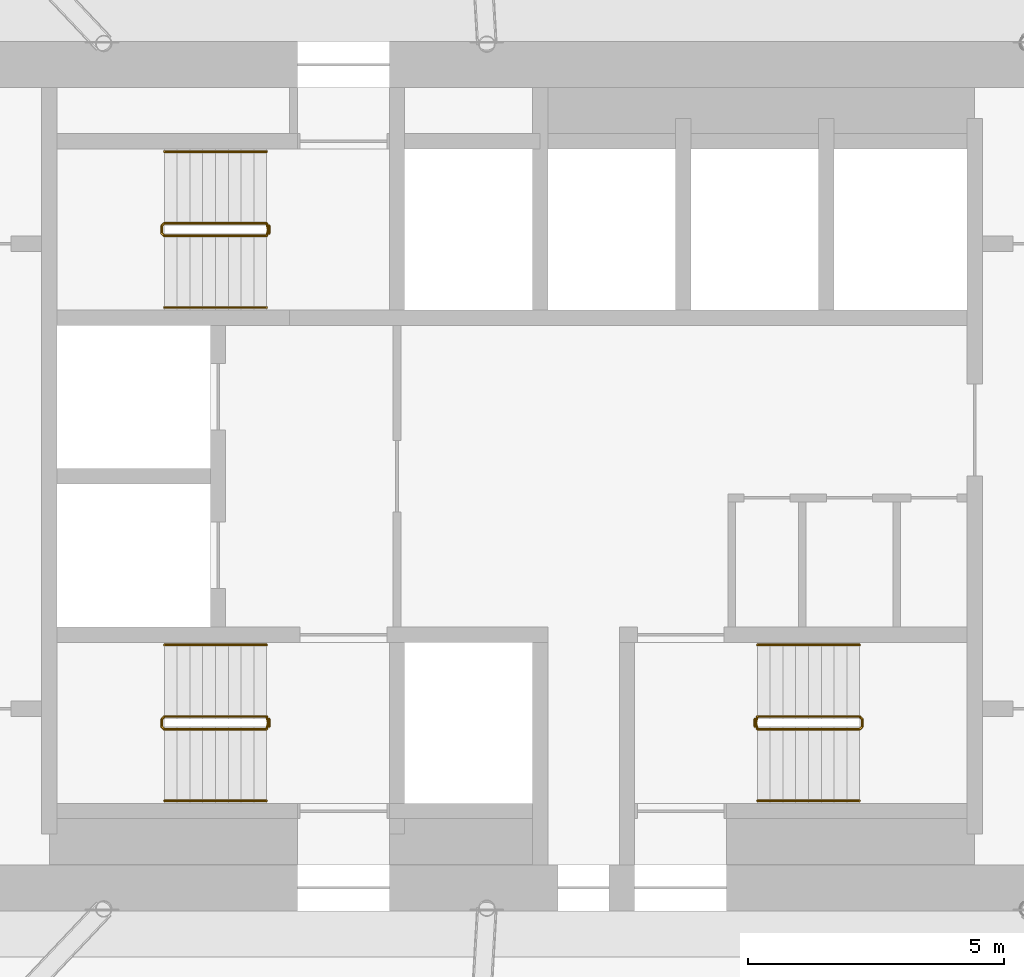
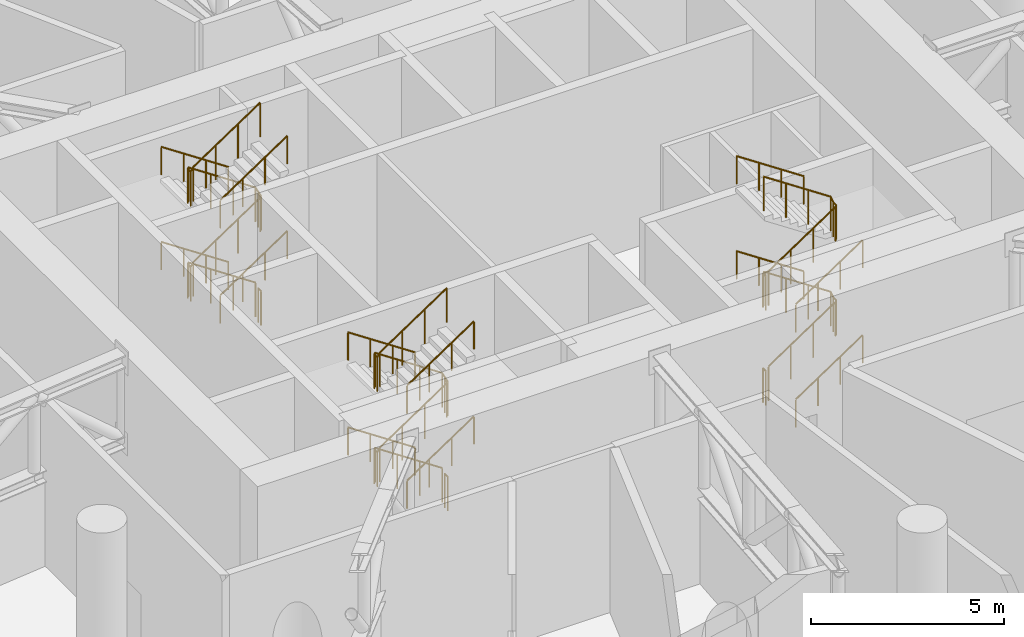
# One storey, part 15 of 15: 18 railings.
"""IFC4 building model written with IfcOpenShell, lengths in metres."""

from ifc_helpers import new_model, si_unit, direction, frame, origin, origin_2d, place, context, subcontext, project, spatial, circle, extrude, material, type_object, element, save


model = new_model("IFC4")

# Units and contexts
model_context = context("Model", 3, precision=1e-05, world=origin(), true_north=direction((0.0, 1.0)))
body_context = subcontext(model_context, "Body", "Model", "MODEL_VIEW")
ifc_project = project(units=[si_unit("LENGTHUNIT", "METRE"), si_unit("AREAUNIT", "SQUARE_METRE"), si_unit("VOLUMEUNIT", "CUBIC_METRE"), si_unit("PLANEANGLEUNIT", "RADIAN"), si_unit("MASSUNIT", "GRAM", prefix="KILO")], contexts=[model_context])

# Site, building, storey
site_placement = place(None, origin())
site = spatial("IfcSite", under=ifc_project, at=site_placement, CompositionType="ELEMENT")
building_placement = place(site_placement, origin())
building = spatial("IfcBuilding", under=site, at=building_placement, Name="Tracery Tower", CompositionType="ELEMENT")
storey_placement = place(building_placement, frame((0.0, 0.0, 225.0)))
storey = spatial("IfcBuildingStorey", under=building, at=storey_placement, Name="L58 Plant", CompositionType="ELEMENT", Elevation=225.0)

# Railings
ifc_material_1 = material(Name="Stainless steel and laminated glass", Category="steel")
railing_type_1 = type_object("IfcRailingType", Name="Stair guard 1100", PredefinedType="GUARDRAIL", material=ifc_material_1)
railing_1_placement = place(storey_placement, frame((-4.800048828125, -4.699951171875, 0.166748046875)))
element("IfcRailing", 1, at=railing_1_placement, inside=storey, type_object=railing_type_1, Name="L58 Plant stair ST1 guard 1", PredefinedType="GUARDRAIL", context=body_context, shape_type="SweptSolid", body=[
    extrude(circle(Radius=0.02392578125, at=origin_2d()), frame((0.0, 0.0, 1.076171875), z_axis=(-0.832065920246, 0.0, 0.554676756648), x_axis=(0.0, -1.0, 0.0)), (0.0, 0.0, 1.0), 2.403564453125),
    extrude(circle(Radius=0.02392578125, at=origin_2d()), frame((-2.0, 0.0, 2.4091796875), z_axis=(-0.707106781187, -0.707106781187, 0.0), x_axis=(0.707106781187, -0.707106781187, 0.0)), (0.0, 0.0, 1.0), 0.07080078125),
    extrude(circle(Radius=0.02392578125, at=origin_2d()), frame((-2.050048828125, -0.050048828125, 2.4091796875), z_axis=(0.0, -1.0, 0.0), x_axis=(1.0, 0.0, 0.0)), (0.0, 0.0, 1.0), 0.14990234375),
    extrude(circle(Radius=0.02392578125, at=origin_2d()), frame((-2.050048828125, -0.199951171875, 2.4091796875), z_axis=(0.27628659633, -0.27628659633, 0.920506074601), x_axis=(0.707106781187, 0.707106781187, 0.0)), (0.0, 0.0, 1.0), 0.18115234375),
    extrude(circle(Radius=0.02392578125, at=origin_2d()), frame((-2.0, -0.25, 2.576171875), z_axis=(0.832065920246, 0.0, 0.554676756648), x_axis=(0.0, 1.0, 0.0)), (0.0, 0.0, 1.0), 2.403564453125),
    extrude(circle(Radius=0.02392578125, at=origin_2d()), frame((0.0, -0.25, 3.9091796875), z_axis=(0.242814311512, 0.970072785993, 0.0), x_axis=(-0.970072785993, 0.242814311512, 0.0)), (0.0, 0.0, 1.0), 0.2060546875),
    extrude(circle(Radius=0.02392578125, at=origin_2d()), frame((0.050048828125, -0.050048828125, 3.9091796875), z_axis=(0.0, -1.0, 0.0), x_axis=(1.0, 0.0, 0.0)), (0.0, 0.0, 1.0), 0.14990234375),
    extrude(circle(Radius=0.02392578125, at=origin_2d()), frame((0.050048828125, -0.199951171875, 3.9091796875), z_axis=(-0.188775798145, 0.754182335027, 0.628945707965), x_axis=(-0.970072785993, -0.242814311512, 0.0)), (0.0, 0.0, 1.0), 0.26513671875),
    extrude(circle(Radius=0.02392578125, at=origin_2d()), frame((0.0, 0.0, 4.076171875), z_axis=(-0.832065920246, 0.0, 0.554676756648), x_axis=(0.0, -1.0, 0.0)), (0.0, 0.0, 1.0), 2.403564453125),
    extrude(circle(Radius=0.02392578125, at=origin_2d()), frame((-2.0, 0.0, 5.4091796875), z_axis=(-0.707106781187, -0.707106781187, 0.0), x_axis=(0.707106781187, -0.707106781187, 0.0)), (0.0, 0.0, 1.0), 0.07080078125),
    extrude(circle(Radius=0.02392578125, at=origin_2d()), frame((-2.050048828125, -0.050048828125, 5.4091796875), z_axis=(0.0, -1.0, 0.0), x_axis=(1.0, 0.0, 0.0)), (0.0, 0.0, 1.0), 0.14990234375),
    extrude(circle(Radius=0.02392578125, at=origin_2d()), frame((-2.050048828125, -0.199951171875, 5.4091796875), z_axis=(0.27628659633, -0.27628659633, 0.920506074601), x_axis=(0.707106781187, 0.707106781187, 0.0)), (0.0, 0.0, 1.0), 0.18115234375),
    extrude(circle(Radius=0.02392578125, at=origin_2d()), frame((-2.0, -0.25, 5.576171875), z_axis=(0.832065920246, 0.0, 0.554676756648), x_axis=(0.0, 1.0, 0.0)), (0.0, 0.0, 1.0), 2.403564453125),
    extrude(circle(Radius=0.02099609375, at=origin_2d()), origin(), (0.0, 0.0, 1.0), 1.052001953125),
    extrude(circle(Radius=0.02099609375, at=origin_2d()), frame((-0.666748046875, 0.0, 0.4443359375)), (0.0, 0.0, 1.0), 1.052001953125),
    extrude(circle(Radius=0.02099609375, at=origin_2d()), frame((-1.333251953125, 0.0, 0.888916015625)), (0.0, 0.0, 1.0), 1.052001953125),
    extrude(circle(Radius=0.02099609375, at=origin_2d()), frame((-2.0, 0.0, 1.333251953125)), (0.0, 0.0, 1.0), 1.052001953125),
    extrude(circle(Radius=0.02099609375, at=origin_2d()), frame((-2.050048828125, -0.050048828125, 1.333251953125)), (0.0, 0.0, 1.0), 1.052001953125),
    extrude(circle(Radius=0.02099609375, at=origin_2d()), frame((-2.050048828125, -0.199951171875, 1.333251953125)), (0.0, 0.0, 1.0), 1.052001953125),
    extrude(circle(Radius=0.02099609375, at=origin_2d()), frame((-2.0, -0.25, 1.5)), (0.0, 0.0, 1.0), 1.052001953125),
    extrude(circle(Radius=0.02099609375, at=origin_2d()), frame((-1.333251953125, -0.25, 1.9443359375)), (0.0, 0.0, 1.0), 1.052001953125),
    extrude(circle(Radius=0.02099609375, at=origin_2d()), frame((-0.666748046875, -0.25, 2.388916015625)), (0.0, 0.0, 1.0), 1.052001953125),
    extrude(circle(Radius=0.02099609375, at=origin_2d()), frame((0.0, -0.25, 2.833251953125)), (0.0, 0.0, 1.0), 1.052001953125),
    extrude(circle(Radius=0.02099609375, at=origin_2d()), frame((0.050048828125, -0.050048828125, 2.833251953125)), (0.0, 0.0, 1.0), 1.052001953125),
    extrude(circle(Radius=0.02099609375, at=origin_2d()), frame((0.050048828125, -0.199951171875, 2.833251953125)), (0.0, 0.0, 1.0), 1.052001953125),
    extrude(circle(Radius=0.02099609375, at=origin_2d()), frame((0.0, 0.0, 3.0)), (0.0, 0.0, 1.0), 1.052001953125),
    extrude(circle(Radius=0.02099609375, at=origin_2d()), frame((-0.666748046875, 0.0, 3.4443359375)), (0.0, 0.0, 1.0), 1.052001953125),
    extrude(circle(Radius=0.02099609375, at=origin_2d()), frame((-1.333251953125, 0.0, 3.888916015625)), (0.0, 0.0, 1.0), 1.052001953125),
    extrude(circle(Radius=0.02099609375, at=origin_2d()), frame((-2.0, 0.0, 4.333251953125)), (0.0, 0.0, 1.0), 1.052001953125),
    extrude(circle(Radius=0.02099609375, at=origin_2d()), frame((-2.050048828125, -0.050048828125, 4.333251953125)), (0.0, 0.0, 1.0), 1.052001953125),
    extrude(circle(Radius=0.02099609375, at=origin_2d()), frame((-2.050048828125, -0.199951171875, 4.333251953125)), (0.0, 0.0, 1.0), 1.052001953125),
    extrude(circle(Radius=0.02099609375, at=origin_2d()), frame((-2.0, -0.25, 4.5)), (0.0, 0.0, 1.0), 1.052001953125),
    extrude(circle(Radius=0.02099609375, at=origin_2d()), frame((-1.333251953125, -0.25, 4.9443359375)), (0.0, 0.0, 1.0), 1.052001953125),
    extrude(circle(Radius=0.02099609375, at=origin_2d()), frame((-0.666748046875, -0.25, 5.388916015625)), (0.0, 0.0, 1.0), 1.052001953125),
    extrude(circle(Radius=0.02099609375, at=origin_2d()), frame((0.0, -0.25, 5.833251953125)), (0.0, 0.0, 1.0), 1.052001953125),
])
railing_2_placement = place(storey_placement, frame((-4.75, -4.75, 0.0)))
element("IfcRailing", 2, at=railing_2_placement, inside=storey, type_object=railing_type_1, Name="L58 Plant stair ST1 guard 2", PredefinedType="GUARDRAIL", context=body_context, shape_type="SweptSolid", body=[
    extrude(circle(Radius=0.02392578125, at=origin_2d()), frame((0.0, 0.0, 1.076171875), z_axis=(0.0, -1.0, 0.0), x_axis=(1.0, 0.0, 0.0)), (0.0, 0.0, 1.0), 0.14990234375),
    extrude(circle(Radius=0.02099609375, at=origin_2d()), origin(), (0.0, 0.0, 1.0), 1.052001953125),
    extrude(circle(Radius=0.02099609375, at=origin_2d()), frame((0.0, -0.14990234375, 0.0)), (0.0, 0.0, 1.0), 1.052001953125),
])
railing_3_placement = place(storey_placement, frame((-4.800048828125, 4.949951171875, 0.166748046875)))
element("IfcRailing", 3, at=railing_3_placement, inside=storey, type_object=railing_type_1, Name="L58 Plant stair ST3 guard 1", PredefinedType="GUARDRAIL", context=body_context, shape_type="SweptSolid", body=[
    extrude(circle(Radius=0.02392578125, at=origin_2d()), frame((0.0, 0.0, 1.076171875), z_axis=(-0.832065920246, 0.0, 0.554676756648), x_axis=(0.0, -1.0, 0.0)), (0.0, 0.0, 1.0), 2.403564453125),
    extrude(circle(Radius=0.02392578125, at=origin_2d()), frame((-2.0, 0.0, 2.4091796875), z_axis=(-0.707106781187, -0.707106781187, 0.0), x_axis=(0.707106781187, -0.707106781187, 0.0)), (0.0, 0.0, 1.0), 0.07080078125),
    extrude(circle(Radius=0.02392578125, at=origin_2d()), frame((-2.050048828125, -0.050048828125, 2.4091796875), z_axis=(0.0, -1.0, 0.0), x_axis=(1.0, 0.0, 0.0)), (0.0, 0.0, 1.0), 0.14990234375),
    extrude(circle(Radius=0.02392578125, at=origin_2d()), frame((-2.050048828125, -0.199951171875, 2.4091796875), z_axis=(0.27628659633, -0.27628659633, 0.920506074601), x_axis=(0.707106781187, 0.707106781187, 0.0)), (0.0, 0.0, 1.0), 0.18115234375),
    extrude(circle(Radius=0.02392578125, at=origin_2d()), frame((-2.0, -0.25, 2.576171875), z_axis=(0.832065920246, 0.0, 0.554676756648), x_axis=(0.0, 1.0, 0.0)), (0.0, 0.0, 1.0), 2.403564453125),
    extrude(circle(Radius=0.02392578125, at=origin_2d()), frame((0.0, -0.25, 3.9091796875), z_axis=(0.242814311512, 0.970072785993, 0.0), x_axis=(-0.970072785993, 0.242814311512, 0.0)), (0.0, 0.0, 1.0), 0.2060546875),
    extrude(circle(Radius=0.02392578125, at=origin_2d()), frame((0.050048828125, -0.050048828125, 3.9091796875), z_axis=(0.0, -1.0, 0.0), x_axis=(1.0, 0.0, 0.0)), (0.0, 0.0, 1.0), 0.14990234375),
    extrude(circle(Radius=0.02392578125, at=origin_2d()), frame((0.050048828125, -0.199951171875, 3.9091796875), z_axis=(-0.188775798145, 0.754182335027, 0.628945707965), x_axis=(-0.970072785993, -0.242814311512, 0.0)), (0.0, 0.0, 1.0), 0.26513671875),
    extrude(circle(Radius=0.02392578125, at=origin_2d()), frame((0.0, 0.0, 4.076171875), z_axis=(-0.832065920246, 0.0, 0.554676756648), x_axis=(0.0, -1.0, 0.0)), (0.0, 0.0, 1.0), 2.403564453125),
    extrude(circle(Radius=0.02392578125, at=origin_2d()), frame((-2.0, 0.0, 5.4091796875), z_axis=(-0.707106781187, -0.707106781187, 0.0), x_axis=(0.707106781187, -0.707106781187, 0.0)), (0.0, 0.0, 1.0), 0.07080078125),
    extrude(circle(Radius=0.02392578125, at=origin_2d()), frame((-2.050048828125, -0.050048828125, 5.4091796875), z_axis=(0.0, -1.0, 0.0), x_axis=(1.0, 0.0, 0.0)), (0.0, 0.0, 1.0), 0.14990234375),
    extrude(circle(Radius=0.02392578125, at=origin_2d()), frame((-2.050048828125, -0.199951171875, 5.4091796875), z_axis=(0.27628659633, -0.27628659633, 0.920506074601), x_axis=(0.707106781187, 0.707106781187, 0.0)), (0.0, 0.0, 1.0), 0.18115234375),
    extrude(circle(Radius=0.02392578125, at=origin_2d()), frame((-2.0, -0.25, 5.576171875), z_axis=(0.832065920246, 0.0, 0.554676756648), x_axis=(0.0, 1.0, 0.0)), (0.0, 0.0, 1.0), 2.403564453125),
    extrude(circle(Radius=0.02099609375, at=origin_2d()), origin(), (0.0, 0.0, 1.0), 1.052001953125),
    extrude(circle(Radius=0.02099609375, at=origin_2d()), frame((-0.666748046875, 0.0, 0.4443359375)), (0.0, 0.0, 1.0), 1.052001953125),
    extrude(circle(Radius=0.02099609375, at=origin_2d()), frame((-1.333251953125, 0.0, 0.888916015625)), (0.0, 0.0, 1.0), 1.052001953125),
    extrude(circle(Radius=0.02099609375, at=origin_2d()), frame((-2.0, 0.0, 1.333251953125)), (0.0, 0.0, 1.0), 1.052001953125),
    extrude(circle(Radius=0.02099609375, at=origin_2d()), frame((-2.050048828125, -0.050048828125, 1.333251953125)), (0.0, 0.0, 1.0), 1.052001953125),
    extrude(circle(Radius=0.02099609375, at=origin_2d()), frame((-2.050048828125, -0.199951171875, 1.333251953125)), (0.0, 0.0, 1.0), 1.052001953125),
    extrude(circle(Radius=0.02099609375, at=origin_2d()), frame((-2.0, -0.25, 1.5)), (0.0, 0.0, 1.0), 1.052001953125),
    extrude(circle(Radius=0.02099609375, at=origin_2d()), frame((-1.333251953125, -0.25, 1.9443359375)), (0.0, 0.0, 1.0), 1.052001953125),
    extrude(circle(Radius=0.02099609375, at=origin_2d()), frame((-0.666748046875, -0.25, 2.388916015625)), (0.0, 0.0, 1.0), 1.052001953125),
    extrude(circle(Radius=0.02099609375, at=origin_2d()), frame((0.0, -0.25, 2.833251953125)), (0.0, 0.0, 1.0), 1.052001953125),
    extrude(circle(Radius=0.02099609375, at=origin_2d()), frame((0.050048828125, -0.050048828125, 2.833251953125)), (0.0, 0.0, 1.0), 1.052001953125),
    extrude(circle(Radius=0.02099609375, at=origin_2d()), frame((0.050048828125, -0.199951171875, 2.833251953125)), (0.0, 0.0, 1.0), 1.052001953125),
    extrude(circle(Radius=0.02099609375, at=origin_2d()), frame((0.0, 0.0, 3.0)), (0.0, 0.0, 1.0), 1.052001953125),
    extrude(circle(Radius=0.02099609375, at=origin_2d()), frame((-0.666748046875, 0.0, 3.4443359375)), (0.0, 0.0, 1.0), 1.052001953125),
    extrude(circle(Radius=0.02099609375, at=origin_2d()), frame((-1.333251953125, 0.0, 3.888916015625)), (0.0, 0.0, 1.0), 1.052001953125),
    extrude(circle(Radius=0.02099609375, at=origin_2d()), frame((-2.0, 0.0, 4.333251953125)), (0.0, 0.0, 1.0), 1.052001953125),
    extrude(circle(Radius=0.02099609375, at=origin_2d()), frame((-2.050048828125, -0.050048828125, 4.333251953125)), (0.0, 0.0, 1.0), 1.052001953125),
    extrude(circle(Radius=0.02099609375, at=origin_2d()), frame((-2.050048828125, -0.199951171875, 4.333251953125)), (0.0, 0.0, 1.0), 1.052001953125),
    extrude(circle(Radius=0.02099609375, at=origin_2d()), frame((-2.0, -0.25, 4.5)), (0.0, 0.0, 1.0), 1.052001953125),
    extrude(circle(Radius=0.02099609375, at=origin_2d()), frame((-1.333251953125, -0.25, 4.9443359375)), (0.0, 0.0, 1.0), 1.052001953125),
    extrude(circle(Radius=0.02099609375, at=origin_2d()), frame((-0.666748046875, -0.25, 5.388916015625)), (0.0, 0.0, 1.0), 1.052001953125),
    extrude(circle(Radius=0.02099609375, at=origin_2d()), frame((0.0, -0.25, 5.833251953125)), (0.0, 0.0, 1.0), 1.052001953125),
])
railing_4_placement = place(storey_placement, frame((-4.75, 4.89990234375, 0.0)))
element("IfcRailing", 4, at=railing_4_placement, inside=storey, type_object=railing_type_1, Name="L58 Plant stair ST3 guard 2", PredefinedType="GUARDRAIL", context=body_context, shape_type="SweptSolid", body=[
    extrude(circle(Radius=0.02392578125, at=origin_2d()), frame((0.0, 0.0, 1.076171875), z_axis=(0.0, -1.0, 0.0), x_axis=(1.0, 0.0, 0.0)), (0.0, 0.0, 1.0), 0.14990234375),
    extrude(circle(Radius=0.02099609375, at=origin_2d()), origin(), (0.0, 0.0, 1.0), 1.052001953125),
    extrude(circle(Radius=0.02099609375, at=origin_2d()), frame((0.0, -0.14990234375, 0.0)), (0.0, 0.0, 1.0), 1.052001953125),
])
railing_5_placement = place(storey_placement, frame((4.800048828125, -4.949951171875, 0.166748046875)))
element("IfcRailing", 5, at=railing_5_placement, inside=storey, type_object=railing_type_1, Name="L58 Plant stair ST2 guard 1", PredefinedType="GUARDRAIL", context=body_context, shape_type="SweptSolid", body=[
    extrude(circle(Radius=0.02392578125, at=origin_2d()), frame((0.0, 0.0, 1.076171875), z_axis=(0.832065920246, 0.0, 0.554676756648), x_axis=(0.0, 1.0, 0.0)), (0.0, 0.0, 1.0), 2.403564453125),
    extrude(circle(Radius=0.02392578125, at=origin_2d()), frame((2.0, 0.0, 2.4091796875), z_axis=(0.707106781187, 0.707106781187, 0.0), x_axis=(-0.707106781187, 0.707106781187, 0.0)), (0.0, 0.0, 1.0), 0.07080078125),
    extrude(circle(Radius=0.02392578125, at=origin_2d()), frame((2.050048828125, 0.050048828125, 2.4091796875), z_axis=(0.0, 1.0, 0.0), x_axis=(-1.0, 0.0, 0.0)), (0.0, 0.0, 1.0), 0.14990234375),
    extrude(circle(Radius=0.02392578125, at=origin_2d()), frame((2.050048828125, 0.199951171875, 2.4091796875), z_axis=(-0.27628659633, 0.27628659633, 0.920506074601), x_axis=(-0.707106781187, -0.707106781187, 0.0)), (0.0, 0.0, 1.0), 0.18115234375),
    extrude(circle(Radius=0.02392578125, at=origin_2d()), frame((2.0, 0.25, 2.576171875), z_axis=(-0.832065920246, 0.0, 0.554676756648), x_axis=(0.0, -1.0, 0.0)), (0.0, 0.0, 1.0), 2.403564453125),
    extrude(circle(Radius=0.02392578125, at=origin_2d()), frame((0.0, 0.25, 3.9091796875), z_axis=(-0.242814311512, -0.970072785993, 0.0), x_axis=(0.970072785993, -0.242814311512, 0.0)), (0.0, 0.0, 1.0), 0.2060546875),
    extrude(circle(Radius=0.02392578125, at=origin_2d()), frame((-0.050048828125, 0.050048828125, 3.9091796875), z_axis=(0.0, 1.0, 0.0), x_axis=(-1.0, 0.0, 0.0)), (0.0, 0.0, 1.0), 0.14990234375),
    extrude(circle(Radius=0.02392578125, at=origin_2d()), frame((-0.050048828125, 0.199951171875, 3.9091796875), z_axis=(0.188775798145, -0.754182335027, 0.628945707965), x_axis=(0.970072785993, 0.242814311512, 0.0)), (0.0, 0.0, 1.0), 0.26513671875),
    extrude(circle(Radius=0.02392578125, at=origin_2d()), frame((0.0, 0.0, 4.076171875), z_axis=(0.832065920246, 0.0, 0.554676756648), x_axis=(0.0, 1.0, 0.0)), (0.0, 0.0, 1.0), 2.403564453125),
    extrude(circle(Radius=0.02392578125, at=origin_2d()), frame((2.0, 0.0, 5.4091796875), z_axis=(0.707106781187, 0.707106781187, 0.0), x_axis=(-0.707106781187, 0.707106781187, 0.0)), (0.0, 0.0, 1.0), 0.07080078125),
    extrude(circle(Radius=0.02392578125, at=origin_2d()), frame((2.050048828125, 0.050048828125, 5.4091796875), z_axis=(0.0, 1.0, 0.0), x_axis=(-1.0, 0.0, 0.0)), (0.0, 0.0, 1.0), 0.14990234375),
    extrude(circle(Radius=0.02392578125, at=origin_2d()), frame((2.050048828125, 0.199951171875, 5.4091796875), z_axis=(-0.27628659633, 0.27628659633, 0.920506074601), x_axis=(-0.707106781187, -0.707106781187, 0.0)), (0.0, 0.0, 1.0), 0.18115234375),
    extrude(circle(Radius=0.02392578125, at=origin_2d()), frame((2.0, 0.25, 5.576171875), z_axis=(-0.832065920246, 0.0, 0.554676756648), x_axis=(0.0, -1.0, 0.0)), (0.0, 0.0, 1.0), 2.403564453125),
    extrude(circle(Radius=0.02099609375, at=origin_2d()), origin(), (0.0, 0.0, 1.0), 1.052001953125),
    extrude(circle(Radius=0.02099609375, at=origin_2d()), frame((0.666748046875, 0.0, 0.4443359375)), (0.0, 0.0, 1.0), 1.052001953125),
    extrude(circle(Radius=0.02099609375, at=origin_2d()), frame((1.333251953125, 0.0, 0.888916015625)), (0.0, 0.0, 1.0), 1.052001953125),
    extrude(circle(Radius=0.02099609375, at=origin_2d()), frame((2.0, 0.0, 1.333251953125)), (0.0, 0.0, 1.0), 1.052001953125),
    extrude(circle(Radius=0.02099609375, at=origin_2d()), frame((2.050048828125, 0.050048828125, 1.333251953125)), (0.0, 0.0, 1.0), 1.052001953125),
    extrude(circle(Radius=0.02099609375, at=origin_2d()), frame((2.050048828125, 0.199951171875, 1.333251953125)), (0.0, 0.0, 1.0), 1.052001953125),
    extrude(circle(Radius=0.02099609375, at=origin_2d()), frame((2.0, 0.25, 1.5)), (0.0, 0.0, 1.0), 1.052001953125),
    extrude(circle(Radius=0.02099609375, at=origin_2d()), frame((1.333251953125, 0.25, 1.9443359375)), (0.0, 0.0, 1.0), 1.052001953125),
    extrude(circle(Radius=0.02099609375, at=origin_2d()), frame((0.666748046875, 0.25, 2.388916015625)), (0.0, 0.0, 1.0), 1.052001953125),
    extrude(circle(Radius=0.02099609375, at=origin_2d()), frame((0.0, 0.25, 2.833251953125)), (0.0, 0.0, 1.0), 1.052001953125),
    extrude(circle(Radius=0.02099609375, at=origin_2d()), frame((-0.050048828125, 0.050048828125, 2.833251953125)), (0.0, 0.0, 1.0), 1.052001953125),
    extrude(circle(Radius=0.02099609375, at=origin_2d()), frame((-0.050048828125, 0.199951171875, 2.833251953125)), (0.0, 0.0, 1.0), 1.052001953125),
    extrude(circle(Radius=0.02099609375, at=origin_2d()), frame((0.0, 0.0, 3.0)), (0.0, 0.0, 1.0), 1.052001953125),
    extrude(circle(Radius=0.02099609375, at=origin_2d()), frame((0.666748046875, 0.0, 3.4443359375)), (0.0, 0.0, 1.0), 1.052001953125),
    extrude(circle(Radius=0.02099609375, at=origin_2d()), frame((1.333251953125, 0.0, 3.888916015625)), (0.0, 0.0, 1.0), 1.052001953125),
    extrude(circle(Radius=0.02099609375, at=origin_2d()), frame((2.0, 0.0, 4.333251953125)), (0.0, 0.0, 1.0), 1.052001953125),
    extrude(circle(Radius=0.02099609375, at=origin_2d()), frame((2.050048828125, 0.050048828125, 4.333251953125)), (0.0, 0.0, 1.0), 1.052001953125),
    extrude(circle(Radius=0.02099609375, at=origin_2d()), frame((2.050048828125, 0.199951171875, 4.333251953125)), (0.0, 0.0, 1.0), 1.052001953125),
    extrude(circle(Radius=0.02099609375, at=origin_2d()), frame((2.0, 0.25, 4.5)), (0.0, 0.0, 1.0), 1.052001953125),
    extrude(circle(Radius=0.02099609375, at=origin_2d()), frame((1.333251953125, 0.25, 4.9443359375)), (0.0, 0.0, 1.0), 1.052001953125),
    extrude(circle(Radius=0.02099609375, at=origin_2d()), frame((0.666748046875, 0.25, 5.388916015625)), (0.0, 0.0, 1.0), 1.052001953125),
    extrude(circle(Radius=0.02099609375, at=origin_2d()), frame((0.0, 0.25, 5.833251953125)), (0.0, 0.0, 1.0), 1.052001953125),
])
railing_6_placement = place(storey_placement, frame((4.75, -4.89990234375, 0.0)))
element("IfcRailing", 6, at=railing_6_placement, inside=storey, type_object=railing_type_1, Name="L58 Plant stair ST2 guard 2", PredefinedType="GUARDRAIL", context=body_context, shape_type="SweptSolid", body=[
    extrude(circle(Radius=0.02392578125, at=origin_2d()), frame((0.0, 0.0, 1.076171875), z_axis=(0.0, 1.0, 0.0), x_axis=(-1.0, 0.0, 0.0)), (0.0, 0.0, 1.0), 0.14990234375),
    extrude(circle(Radius=0.02099609375, at=origin_2d()), origin(), (0.0, 0.0, 1.0), 1.052001953125),
    extrude(circle(Radius=0.02099609375, at=origin_2d()), frame((0.0, 0.14990234375, 0.0)), (0.0, 0.0, 1.0), 1.052001953125),
])
ifc_material_2 = material(Name="Stainless steel and laminated glass", Category="steel")
railing_type_2 = type_object("IfcRailingType", Name="Stair handrail 900", PredefinedType="HANDRAIL", material=ifc_material_2)
railing_7_placement = place(storey_placement, frame((-4.800048828125, -3.300048828125, 0.166748046875)))
element("IfcRailing", 7, at=railing_7_placement, inside=storey, type_object=railing_type_2, Name="L58 Plant stair ST1 handrail 1", PredefinedType="HANDRAIL", context=body_context, shape_type="SweptSolid", body=[
    extrude(circle(Radius=0.02392578125, at=origin_2d()), frame((0.0, 0.0, 0.8759765625), z_axis=(-0.832065920246, 0.0, 0.554676756648), x_axis=(0.0, -1.0, 0.0)), (0.0, 0.0, 1.0), 2.403564453125),
    extrude(circle(Radius=0.02099609375, at=origin_2d()), origin(), (0.0, 0.0, 1.0), 0.851806640625),
    extrude(circle(Radius=0.02099609375, at=origin_2d()), frame((-0.666748046875, 0.0, 0.4443359375)), (0.0, 0.0, 1.0), 0.851806640625),
    extrude(circle(Radius=0.02099609375, at=origin_2d()), frame((-1.333251953125, 0.0, 0.888916015625)), (0.0, 0.0, 1.0), 0.851806640625),
    extrude(circle(Radius=0.02099609375, at=origin_2d()), frame((-2.0, 0.0, 1.333251953125)), (0.0, 0.0, 1.0), 0.851806640625),
])
railing_8_placement = place(storey_placement, frame((-6.800048828125, -6.35009765625, 1.666748046875)))
element("IfcRailing", 8, at=railing_8_placement, inside=storey, type_object=railing_type_2, Name="L58 Plant stair ST1 handrail 2", PredefinedType="HANDRAIL", context=body_context, shape_type="SweptSolid", body=[
    extrude(circle(Radius=0.02392578125, at=origin_2d()), frame((0.0, 0.0, 0.8759765625), z_axis=(0.832065920246, 0.0, 0.554676756648), x_axis=(0.0, 1.0, 0.0)), (0.0, 0.0, 1.0), 2.403564453125),
    extrude(circle(Radius=0.02099609375, at=origin_2d()), origin(), (0.0, 0.0, 1.0), 0.851806640625),
    extrude(circle(Radius=0.02099609375, at=origin_2d()), frame((0.666748046875, 0.0, 0.4443359375)), (0.0, 0.0, 1.0), 0.851806640625),
    extrude(circle(Radius=0.02099609375, at=origin_2d()), frame((1.333251953125, 0.0, 0.888916015625)), (0.0, 0.0, 1.0), 0.851806640625),
    extrude(circle(Radius=0.02099609375, at=origin_2d()), frame((2.0, 0.0, 1.333251953125)), (0.0, 0.0, 1.0), 0.851806640625),
])
railing_9_placement = place(storey_placement, frame((-4.800048828125, -3.300048828125, 3.166748046875)))
element("IfcRailing", 9, at=railing_9_placement, inside=storey, type_object=railing_type_2, Name="L58 Plant stair ST1 handrail 3", PredefinedType="HANDRAIL", context=body_context, shape_type="SweptSolid", body=[
    extrude(circle(Radius=0.02392578125, at=origin_2d()), frame((0.0, 0.0, 0.8759765625), z_axis=(-0.832065920246, 0.0, 0.554676756648), x_axis=(0.0, -1.0, 0.0)), (0.0, 0.0, 1.0), 2.403564453125),
    extrude(circle(Radius=0.02099609375, at=origin_2d()), origin(), (0.0, 0.0, 1.0), 0.851806640625),
    extrude(circle(Radius=0.02099609375, at=origin_2d()), frame((-0.666748046875, 0.0, 0.4443359375)), (0.0, 0.0, 1.0), 0.851806640625),
    extrude(circle(Radius=0.02099609375, at=origin_2d()), frame((-1.333251953125, 0.0, 0.888916015625)), (0.0, 0.0, 1.0), 0.851806640625),
    extrude(circle(Radius=0.02099609375, at=origin_2d()), frame((-2.0, 0.0, 1.333251953125)), (0.0, 0.0, 1.0), 0.851806640625),
])
railing_10_placement = place(storey_placement, frame((-6.800048828125, -6.35009765625, 4.666748046875)))
element("IfcRailing", 10, at=railing_10_placement, inside=storey, type_object=railing_type_2, Name="L58 Plant stair ST1 handrail 4", PredefinedType="HANDRAIL", context=body_context, shape_type="SweptSolid", body=[
    extrude(circle(Radius=0.02392578125, at=origin_2d()), frame((0.0, 0.0, 0.8759765625), z_axis=(0.832065920246, 0.0, 0.554676756648), x_axis=(0.0, 1.0, 0.0)), (0.0, 0.0, 1.0), 2.403564453125),
    extrude(circle(Radius=0.02099609375, at=origin_2d()), origin(), (0.0, 0.0, 1.0), 0.851806640625),
    extrude(circle(Radius=0.02099609375, at=origin_2d()), frame((0.666748046875, 0.0, 0.4443359375)), (0.0, 0.0, 1.0), 0.851806640625),
    extrude(circle(Radius=0.02099609375, at=origin_2d()), frame((1.333251953125, 0.0, 0.888916015625)), (0.0, 0.0, 1.0), 0.851806640625),
    extrude(circle(Radius=0.02099609375, at=origin_2d()), frame((2.0, 0.0, 1.333251953125)), (0.0, 0.0, 1.0), 0.851806640625),
])
railing_11_placement = place(storey_placement, frame((-4.800048828125, 6.35009765625, 0.166748046875)))
element("IfcRailing", 11, at=railing_11_placement, inside=storey, type_object=railing_type_2, Name="L58 Plant stair ST3 handrail 1", PredefinedType="HANDRAIL", context=body_context, shape_type="SweptSolid", body=[
    extrude(circle(Radius=0.02392578125, at=origin_2d()), frame((0.0, 0.0, 0.8759765625), z_axis=(-0.832065920246, 0.0, 0.554676756648), x_axis=(0.0, -1.0, 0.0)), (0.0, 0.0, 1.0), 2.403564453125),
    extrude(circle(Radius=0.02099609375, at=origin_2d()), origin(), (0.0, 0.0, 1.0), 0.851806640625),
    extrude(circle(Radius=0.02099609375, at=origin_2d()), frame((-0.666748046875, 0.0, 0.4443359375)), (0.0, 0.0, 1.0), 0.851806640625),
    extrude(circle(Radius=0.02099609375, at=origin_2d()), frame((-1.333251953125, 0.0, 0.888916015625)), (0.0, 0.0, 1.0), 0.851806640625),
    extrude(circle(Radius=0.02099609375, at=origin_2d()), frame((-2.0, 0.0, 1.333251953125)), (0.0, 0.0, 1.0), 0.851806640625),
])
railing_12_placement = place(storey_placement, frame((-6.800048828125, 3.300048828125, 1.666748046875)))
element("IfcRailing", 12, at=railing_12_placement, inside=storey, type_object=railing_type_2, Name="L58 Plant stair ST3 handrail 2", PredefinedType="HANDRAIL", context=body_context, shape_type="SweptSolid", body=[
    extrude(circle(Radius=0.02392578125, at=origin_2d()), frame((0.0, 0.0, 0.8759765625), z_axis=(0.832065920246, 0.0, 0.554676756648), x_axis=(0.0, 1.0, 0.0)), (0.0, 0.0, 1.0), 2.403564453125),
    extrude(circle(Radius=0.02099609375, at=origin_2d()), origin(), (0.0, 0.0, 1.0), 0.851806640625),
    extrude(circle(Radius=0.02099609375, at=origin_2d()), frame((0.666748046875, 0.0, 0.4443359375)), (0.0, 0.0, 1.0), 0.851806640625),
    extrude(circle(Radius=0.02099609375, at=origin_2d()), frame((1.333251953125, 0.0, 0.888916015625)), (0.0, 0.0, 1.0), 0.851806640625),
    extrude(circle(Radius=0.02099609375, at=origin_2d()), frame((2.0, 0.0, 1.333251953125)), (0.0, 0.0, 1.0), 0.851806640625),
])
railing_13_placement = place(storey_placement, frame((-4.800048828125, 6.35009765625, 3.166748046875)))
element("IfcRailing", 13, at=railing_13_placement, inside=storey, type_object=railing_type_2, Name="L58 Plant stair ST3 handrail 3", PredefinedType="HANDRAIL", context=body_context, shape_type="SweptSolid", body=[
    extrude(circle(Radius=0.02392578125, at=origin_2d()), frame((0.0, 0.0, 0.8759765625), z_axis=(-0.832065920246, 0.0, 0.554676756648), x_axis=(0.0, -1.0, 0.0)), (0.0, 0.0, 1.0), 2.403564453125),
    extrude(circle(Radius=0.02099609375, at=origin_2d()), origin(), (0.0, 0.0, 1.0), 0.851806640625),
    extrude(circle(Radius=0.02099609375, at=origin_2d()), frame((-0.666748046875, 0.0, 0.4443359375)), (0.0, 0.0, 1.0), 0.851806640625),
    extrude(circle(Radius=0.02099609375, at=origin_2d()), frame((-1.333251953125, 0.0, 0.888916015625)), (0.0, 0.0, 1.0), 0.851806640625),
    extrude(circle(Radius=0.02099609375, at=origin_2d()), frame((-2.0, 0.0, 1.333251953125)), (0.0, 0.0, 1.0), 0.851806640625),
])
for number, where, name in (
    (14, (-6.800048828125, 3.300048828125, 4.666748046875), "L58 Plant stair ST3 handrail 4"),
    (15, (4.800048828125, -6.35009765625, 0.166748046875), "L58 Plant stair ST2 handrail 1"),
):
    element("IfcRailing", number, at=place(storey_placement, frame(where)), inside=storey, type_object=railing_type_2, Name=name, PredefinedType="HANDRAIL", context=body_context, shape_type="SweptSolid", body=[
        extrude(circle(Radius=0.02392578125, at=origin_2d()), frame((0.0, 0.0, 0.8759765625), z_axis=(0.832065920246, 0.0, 0.554676756648), x_axis=(0.0, 1.0, 0.0)), (0.0, 0.0, 1.0), 2.403564453125),
        extrude(circle(Radius=0.02099609375, at=origin_2d()), origin(), (0.0, 0.0, 1.0), 0.851806640625),
        extrude(circle(Radius=0.02099609375, at=origin_2d()), frame((0.666748046875, 0.0, 0.4443359375)), (0.0, 0.0, 1.0), 0.851806640625),
        extrude(circle(Radius=0.02099609375, at=origin_2d()), frame((1.333251953125, 0.0, 0.888916015625)), (0.0, 0.0, 1.0), 0.851806640625),
        extrude(circle(Radius=0.02099609375, at=origin_2d()), frame((2.0, 0.0, 1.333251953125)), (0.0, 0.0, 1.0), 0.851806640625),
    ])
railing_14_placement = place(storey_placement, frame((6.800048828125, -3.300048828125, 1.666748046875)))
element("IfcRailing", 16, at=railing_14_placement, inside=storey, type_object=railing_type_2, Name="L58 Plant stair ST2 handrail 2", PredefinedType="HANDRAIL", context=body_context, shape_type="SweptSolid", body=[
    extrude(circle(Radius=0.02392578125, at=origin_2d()), frame((0.0, 0.0, 0.8759765625), z_axis=(-0.832065920246, 0.0, 0.554676756648), x_axis=(0.0, -1.0, 0.0)), (0.0, 0.0, 1.0), 2.403564453125),
    extrude(circle(Radius=0.02099609375, at=origin_2d()), origin(), (0.0, 0.0, 1.0), 0.851806640625),
    extrude(circle(Radius=0.02099609375, at=origin_2d()), frame((-0.666748046875, 0.0, 0.4443359375)), (0.0, 0.0, 1.0), 0.851806640625),
    extrude(circle(Radius=0.02099609375, at=origin_2d()), frame((-1.333251953125, 0.0, 0.888916015625)), (0.0, 0.0, 1.0), 0.851806640625),
    extrude(circle(Radius=0.02099609375, at=origin_2d()), frame((-2.0, 0.0, 1.333251953125)), (0.0, 0.0, 1.0), 0.851806640625),
])
railing_15_placement = place(storey_placement, frame((4.800048828125, -6.35009765625, 3.166748046875)))
element("IfcRailing", 17, at=railing_15_placement, inside=storey, type_object=railing_type_2, Name="L58 Plant stair ST2 handrail 3", PredefinedType="HANDRAIL", context=body_context, shape_type="SweptSolid", body=[
    extrude(circle(Radius=0.02392578125, at=origin_2d()), frame((0.0, 0.0, 0.8759765625), z_axis=(0.832065920246, 0.0, 0.554676756648), x_axis=(0.0, 1.0, 0.0)), (0.0, 0.0, 1.0), 2.403564453125),
    extrude(circle(Radius=0.02099609375, at=origin_2d()), origin(), (0.0, 0.0, 1.0), 0.851806640625),
    extrude(circle(Radius=0.02099609375, at=origin_2d()), frame((0.666748046875, 0.0, 0.4443359375)), (0.0, 0.0, 1.0), 0.851806640625),
    extrude(circle(Radius=0.02099609375, at=origin_2d()), frame((1.333251953125, 0.0, 0.888916015625)), (0.0, 0.0, 1.0), 0.851806640625),
    extrude(circle(Radius=0.02099609375, at=origin_2d()), frame((2.0, 0.0, 1.333251953125)), (0.0, 0.0, 1.0), 0.851806640625),
])
railing_16_placement = place(storey_placement, frame((6.800048828125, -3.300048828125, 4.666748046875)))
element("IfcRailing", 18, at=railing_16_placement, inside=storey, type_object=railing_type_2, Name="L58 Plant stair ST2 handrail 4", PredefinedType="HANDRAIL", context=body_context, shape_type="SweptSolid", body=[
    extrude(circle(Radius=0.02392578125, at=origin_2d()), frame((0.0, 0.0, 0.8759765625), z_axis=(-0.832065920246, 0.0, 0.554676756648), x_axis=(0.0, -1.0, 0.0)), (0.0, 0.0, 1.0), 2.403564453125),
    extrude(circle(Radius=0.02099609375, at=origin_2d()), origin(), (0.0, 0.0, 1.0), 0.851806640625),
    extrude(circle(Radius=0.02099609375, at=origin_2d()), frame((-0.666748046875, 0.0, 0.4443359375)), (0.0, 0.0, 1.0), 0.851806640625),
    extrude(circle(Radius=0.02099609375, at=origin_2d()), frame((-1.333251953125, 0.0, 0.888916015625)), (0.0, 0.0, 1.0), 0.851806640625),
    extrude(circle(Radius=0.02099609375, at=origin_2d()), frame((-2.0, 0.0, 1.333251953125)), (0.0, 0.0, 1.0), 0.851806640625),
])

save(model, "model.ifc")
